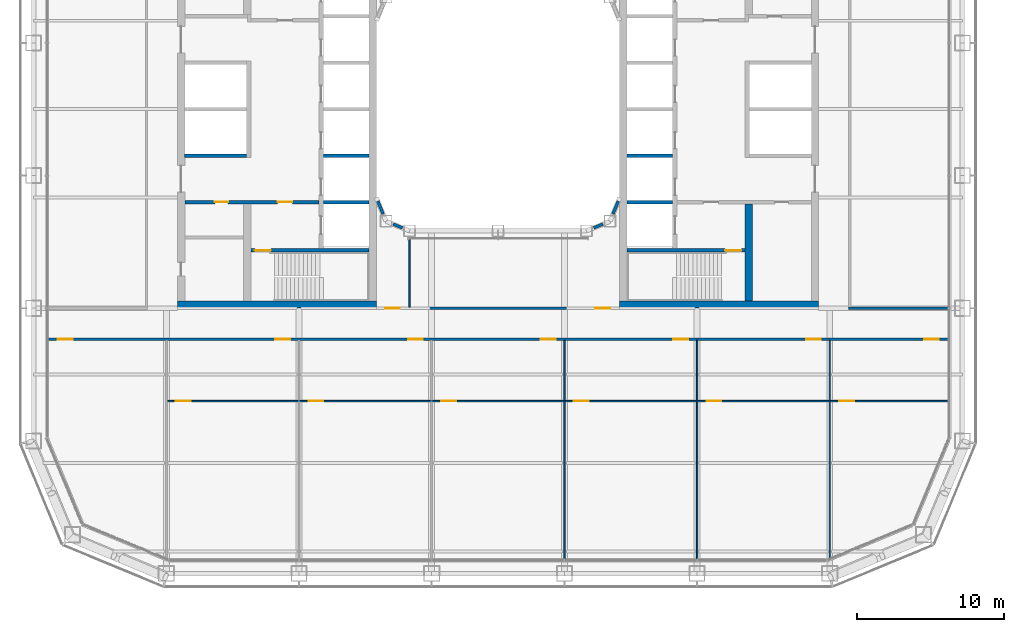
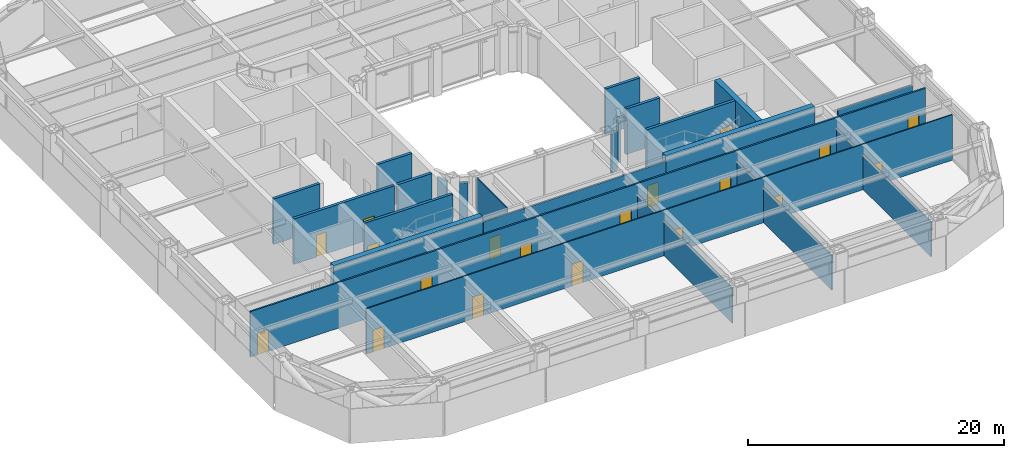
# One storey, part 13 of 30: 26 walls, 19 doors, 19 openings.
"""IFC4 building model written with IfcOpenShell, lengths in metres."""

from ifc_helpers import new_model, si_unit, direction, frame, frame_2d, origin, place, context, subcontext, project, spatial, rectangle, extrude, material, layer, layer_set, type_object, element, fill, save


model = new_model("IFC4")

# Units and contexts
model_context = context("Model", 3, precision=1e-05, world=origin(), true_north=direction((0.0, 1.0)))
body_context = subcontext(model_context, "Body", "Model", "MODEL_VIEW")
ifc_project = project(units=[si_unit("LENGTHUNIT", "METRE"), si_unit("AREAUNIT", "SQUARE_METRE"), si_unit("VOLUMEUNIT", "CUBIC_METRE"), si_unit("PLANEANGLEUNIT", "RADIAN"), si_unit("MASSUNIT", "GRAM", prefix="KILO")], contexts=[model_context])

# Site, building, storey
site_placement = place(None, origin())
site = spatial("IfcSite", under=ifc_project, at=site_placement, CompositionType="ELEMENT")
building_placement = place(site_placement, origin())
building = spatial("IfcBuilding", under=site, at=building_placement, Name="Siwar Civic Tower", CompositionType="ELEMENT")
storey_placement = place(building_placement, frame((0.0, 0.0, 26.699951171875)))
storey = spatial("IfcBuildingStorey", under=building, at=storey_placement, Name="L05", CompositionType="ELEMENT", Elevation=26.699951171875)

# Wall, openings, doors
ifc_material_1 = material(Name="Concrete C60/75", Category="concrete")
ifc_layer_1 = layer(ifc_material_1, 0.25)
ifc_layer_set_1 = layer_set([ifc_layer_1], Name="Concrete C60/75")
wall_type_1 = type_object("IfcWallType", Name="CORE-WALL-RC250", PredefinedType="SHEAR", material=ifc_layer_set_1)
wall_1_placement = place(storey_placement, frame((-12.14990234375, -6.300048828125, 0.0), z_axis=(0.0, 0.0, 1.0), x_axis=(-1.0, 0.0, 0.0)))
wall_1 = element("IfcWall", 1, at=wall_1_placement, inside=storey, type_object=wall_type_1, Name="Core wall W", PredefinedType="SHEAR", context=body_context, shape_type="SweptSolid", body=[
    extrude(rectangle(XDim=9.10009765625, YDim=0.25, at=frame_2d((4.550048828125, 0.0))), origin(), (0.0, 0.0, 1.0), 4.35009765625),
])
opening_1_placement = place(wall_1_placement, frame((1.800048828125, 0.0, 0.0)))
opening_1 = element("IfcOpeningElement", 2, at=opening_1_placement, cuts=wall_1, Name="Opening L05-CW02", PredefinedType="OPENING", context=body_context, shape_type="SweptSolid", body=[
    extrude(rectangle(XDim=1.0, YDim=2.10009765625, at=frame_2d((0.5, 1.050048828125))), frame((0.0, 0.135009765625, 0.0), z_axis=(0.0, -1.0, 0.0), x_axis=(1.0, 0.0, 0.0)), (0.0, 0.0, 1.0), 0.27001953125),
])
opening_2_placement = place(wall_1_placement, frame((6.14990234375, 0.0, 0.0)))
opening_2 = element("IfcOpeningElement", 3, at=opening_2_placement, cuts=wall_1, Name="Opening L05-CW14", PredefinedType="OPENING", context=body_context, shape_type="SweptSolid", body=[
    extrude(rectangle(XDim=0.89990234375, YDim=2.10009765625, at=frame_2d((0.449951171875, 1.050048828125))), frame((0.0, 0.135009765625, 0.0), z_axis=(0.0, -1.0, 0.0), x_axis=(1.0, 0.0, 0.0)), (0.0, 0.0, 1.0), 0.27001953125),
])
ifc_material_2 = material(Name="Steel door leaf", Category="steel")
door_type_1 = type_object("IfcDoorType", Name="CORE-DOOR-FD30S", OperationType="SINGLE_SWING_LEFT", PredefinedType="DOOR", material=ifc_material_2)
door_1_placement = place(opening_1_placement, origin())
door_1 = element("IfcDoor", 4, at=door_1_placement, inside=storey, type_object=door_type_1, Name="Service lobby door L05-CW02", OperationType="SINGLE_SWING_RIGHT", OverallHeight=2.10009765625, OverallWidth=1.0, PredefinedType="DOOR", context=body_context, shape_type="SweptSolid", body=[
    extrude(rectangle(XDim=1.0, YDim=2.10009765625, at=frame_2d((0.5, 1.050048828125))), frame((0.0, 0.02490234375, 0.0), z_axis=(0.0, -1.0, 0.0), x_axis=(1.0, 0.0, 0.0)), (0.0, 0.0, 1.0), 0.050048828125),
])
fill(opening_1, door_1)
ifc_material_3 = material(Name="Steel door leaf", Category="steel")
door_type_2 = type_object("IfcDoorType", Name="CORE-DOOR-ROOM", OperationType="SINGLE_SWING_LEFT", PredefinedType="DOOR", material=ifc_material_3)
door_2_placement = place(opening_2_placement, origin())
door_2 = element("IfcDoor", 5, at=door_2_placement, inside=storey, type_object=door_type_2, Name="Core room door L05-CW14", OperationType="SINGLE_SWING_RIGHT", OverallHeight=2.10009765625, OverallWidth=0.89990234375, PredefinedType="DOOR", context=body_context, shape_type="SweptSolid", body=[
    extrude(rectangle(XDim=0.89990234375, YDim=2.10009765625, at=frame_2d((0.449951171875, 1.050048828125))), frame((0.0, 0.02490234375, 0.0), z_axis=(0.0, -1.0, 0.0), x_axis=(1.0, 0.0, 0.0)), (0.0, 0.0, 1.0), 0.050048828125),
])
fill(opening_2, door_2)

# Walls
wall_2_placement = place(storey_placement, frame((-17.050048828125, -3.14990234375, 0.0), z_axis=(0.0, 0.0, 1.0), x_axis=(-1.0, 0.0, 0.0)))
element("IfcWall", 6, at=wall_2_placement, inside=storey, type_object=wall_type_1, Name="Core wall W", PredefinedType="SHEAR", context=body_context, shape_type="SweptSolid", body=[
    extrude(rectangle(XDim=4.199951171875, YDim=0.25, at=frame_2d((2.10009765625, 0.0))), origin(), (0.0, 0.0, 1.0), 4.35009765625),
])
for number, where, z_axis, x_axis, name in (
    (7, (-8.75, -3.14990234375, 0.0), (0.0, 0.0, 1.0), (-1.0, 0.0, 0.0), "Core wall W"),
    (8, (-8.75, -6.300048828125, 0.0), (0.0, 0.0, 1.0), (-1.0, 0.0, 0.0), "Core wall W"),
):
    element("IfcWall", number, at=place(storey_placement, frame(where, z_axis=z_axis, x_axis=x_axis)), inside=storey, type_object=wall_type_1, Name=name, PredefinedType="SHEAR", context=body_context, shape_type="SweptSolid", body=[
        extrude(rectangle(XDim=3.10009765625, YDim=0.25, at=frame_2d((1.550048828125, 0.0))), origin(), (0.0, 0.0, 1.0), 4.35009765625),
    ])

# Wall, opening, door
wall_3_placement = place(storey_placement, frame((-8.75, -9.574951171875, 0.0), z_axis=(0.0, 0.0, 1.0), x_axis=(-1.0, 0.0, 0.0)))
wall_3 = element("IfcWall", 9, at=wall_3_placement, inside=storey, type_object=wall_type_1, Name="Core wall W", PredefinedType="SHEAR", context=body_context, shape_type="SweptSolid", body=[
    extrude(rectangle(XDim=8.0, YDim=0.25, at=frame_2d((4.0, 0.0))), origin(), (0.0, 0.0, 1.0), 4.35009765625),
])
opening_3_placement = place(wall_3_placement, frame((6.64990234375, 0.0, 0.0)))
opening_3 = element("IfcOpeningElement", 10, at=opening_3_placement, cuts=wall_3, Name="Opening L05-CW04", PredefinedType="OPENING", context=body_context, shape_type="SweptSolid", body=[
    extrude(rectangle(XDim=1.10009765625, YDim=2.10009765625, at=frame_2d((0.550048828125, 1.050048828125))), frame((0.0, 0.135009765625, 0.0), z_axis=(0.0, -1.0, 0.0), x_axis=(1.0, 0.0, 0.0)), (0.0, 0.0, 1.0), 0.27001953125),
])
ifc_material_4 = material(Name="Steel door leaf", Category="steel")
door_type_3 = type_object("IfcDoorType", Name="CORE-DOOR-FD60S", OperationType="SINGLE_SWING_LEFT", PredefinedType="DOOR", material=ifc_material_4)
door_3_placement = place(opening_3_placement, origin())
door_3 = element("IfcDoor", 11, at=door_3_placement, inside=storey, type_object=door_type_3, Name="Stair door L05-CW04", OperationType="SINGLE_SWING_LEFT", OverallHeight=2.10009765625, OverallWidth=1.10009765625, PredefinedType="DOOR", context=body_context, shape_type="SweptSolid", body=[
    extrude(rectangle(XDim=1.10009765625, YDim=2.10009765625, at=frame_2d((0.550048828125, 1.050048828125))), frame((0.0, 0.02490234375, 0.0), z_axis=(0.0, -1.0, 0.0), x_axis=(1.0, 0.0, 0.0)), (0.0, 0.0, 1.0), 0.050048828125),
])
fill(opening_3, door_3)

# Walls
for number, where, z_axis, x_axis, name in (
    (12, (8.75, -3.14990234375, 0.0), (0.0, 0.0, 1.0), (1.0, 0.0, 0.0), "Core wall E"),
    (13, (8.75, -6.300048828125, 0.0), (0.0, 0.0, 1.0), (1.0, 0.0, 0.0), "Core wall E"),
):
    element("IfcWall", number, at=place(storey_placement, frame(where, z_axis=z_axis, x_axis=x_axis)), inside=storey, type_object=wall_type_1, Name=name, PredefinedType="SHEAR", context=body_context, shape_type="SweptSolid", body=[
        extrude(rectangle(XDim=3.10009765625, YDim=0.25, at=frame_2d((1.550048828125, 0.0))), origin(), (0.0, 0.0, 1.0), 4.35009765625),
    ])

# Wall, opening, door
wall_4_placement = place(storey_placement, frame((8.75, -9.574951171875, 0.0), z_axis=(0.0, 0.0, 1.0), x_axis=(1.0, 0.0, 0.0)))
wall_4 = element("IfcWall", 14, at=wall_4_placement, inside=storey, type_object=wall_type_1, Name="Core wall E", PredefinedType="SHEAR", context=body_context, shape_type="SweptSolid", body=[
    extrude(rectangle(XDim=8.0, YDim=0.25, at=frame_2d((4.0, 0.0))), origin(), (0.0, 0.0, 1.0), 4.35009765625),
])
opening_4_placement = place(wall_4_placement, frame((6.64990234375, 0.0, 0.0)))
opening_4 = element("IfcOpeningElement", 15, at=opening_4_placement, cuts=wall_4, Name="Opening L05-CE04", PredefinedType="OPENING", context=body_context, shape_type="SweptSolid", body=[
    extrude(rectangle(XDim=1.10009765625, YDim=2.10009765625, at=frame_2d((0.550048828125, 1.050048828125))), frame((0.0, 0.135009765625, 0.0), z_axis=(0.0, -1.0, 0.0), x_axis=(1.0, 0.0, 0.0)), (0.0, 0.0, 1.0), 0.27001953125),
])
door_4_placement = place(opening_4_placement, origin())
door_4 = element("IfcDoor", 16, at=door_4_placement, inside=storey, type_object=door_type_3, Name="Stair door L05-CE04", OperationType="SINGLE_SWING_RIGHT", OverallHeight=2.10009765625, OverallWidth=1.10009765625, PredefinedType="DOOR", context=body_context, shape_type="SweptSolid", body=[
    extrude(rectangle(XDim=1.10009765625, YDim=2.10009765625, at=frame_2d((0.550048828125, 1.050048828125))), frame((0.0, 0.02490234375, 0.0), z_axis=(0.0, -1.0, 0.0), x_axis=(1.0, 0.0, 0.0)), (0.0, 0.0, 1.0), 0.050048828125),
])
fill(opening_4, door_4)

# Walls
ifc_material_5 = material(Name="Concrete C60/75", Category="concrete")
ifc_layer_2 = layer(ifc_material_5, 0.5)
ifc_layer_set_2 = layer_set([ifc_layer_2], Name="Concrete C60/75")
wall_type_2 = type_object("IfcWallType", Name="CORE-WALL-RC500", PredefinedType="SHEAR", material=ifc_layer_set_2)
wall_5_placement = place(storey_placement, frame((-8.25, -13.25, 0.0), z_axis=(0.0, 0.0, 1.0), x_axis=(-1.0, 0.0, 0.0)))
element("IfcWall", 17, at=wall_5_placement, inside=storey, type_object=wall_type_2, Name="Core wall W", PredefinedType="SHEAR", context=body_context, shape_type="SweptSolid", body=[
    extrude(rectangle(XDim=13.5, YDim=0.5, at=frame_2d((6.75, 0.0))), origin(), (0.0, 0.0, 1.0), 4.35009765625),
])
wall_6_placement = place(storey_placement, frame((17.0, -13.0, 0.0), z_axis=(0.0, 0.0, 1.0), x_axis=(0.0, 1.0, 0.0)))
element("IfcWall", 18, at=wall_6_placement, inside=storey, type_object=wall_type_2, Name="Core wall E", PredefinedType="SHEAR", context=body_context, shape_type="SweptSolid", body=[
    extrude(rectangle(XDim=6.574951171875, YDim=0.5, at=frame_2d((3.28759765625, 0.0))), origin(), (0.0, 0.0, 1.0), 4.35009765625),
])
wall_7_placement = place(storey_placement, frame((8.25, -13.25, 0.0), z_axis=(0.0, 0.0, 1.0), x_axis=(1.0, 0.0, 0.0)))
element("IfcWall", 19, at=wall_7_placement, inside=storey, type_object=wall_type_2, Name="Core wall E", PredefinedType="SHEAR", context=body_context, shape_type="SweptSolid", body=[
    extrude(rectangle(XDim=13.5, YDim=0.5, at=frame_2d((6.75, 0.0))), origin(), (0.0, 0.0, 1.0), 4.35009765625),
])

# Wall, openings, doors
ifc_material_6 = material(Name="Gypsum board on steel studs", Category="steel")
ifc_layer_3 = layer(ifc_material_6, 0.14990234375)
ifc_layer_set_3 = layer_set([ifc_layer_3], Name="Gypsum board on steel studs")
wall_type_3 = type_object("IfcWallType", Name="CORRIDOR PARTITION 150 EI 30", PredefinedType="PARTITIONING", material=ifc_layer_set_3)
wall_8_placement = place(storey_placement, frame((-30.510009765625, -15.60009765625, 0.0), z_axis=(0.0, 0.0, 1.0), x_axis=(1.0, 0.0, 0.0)))
wall_8 = element("IfcWall", 20, at=wall_8_placement, inside=storey, type_object=wall_type_3, Name="L05/wall/P02", PredefinedType="PARTITIONING", context=body_context, shape_type="SweptSolid", body=[
    extrude(rectangle(XDim=61.02001953125, YDim=0.14990234375, at=frame_2d((30.510009765625, 0.0))), origin(), (0.0, 0.0, 1.0), 4.35009765625),
])
opening_5_placement = place(wall_8_placement, frame((15.409912109375, 0.0, 0.0)))
opening_5 = element("IfcOpeningElement", 21, at=opening_5_placement, cuts=wall_8, Name="Opening D1", PredefinedType="OPENING", context=body_context, shape_type="SweptSolid", body=[
    extrude(rectangle(XDim=1.0, YDim=2.10009765625, at=frame_2d((0.5, 1.050048828125))), frame((0.0, 0.0849609375, 0.0), z_axis=(0.0, -1.0, 0.0), x_axis=(1.0, 0.0, 0.0)), (0.0, 0.0, 1.0), 0.169921875),
])
opening_6_placement = place(wall_8_placement, frame((24.409912109375, 0.0, 0.0)))
opening_6 = element("IfcOpeningElement", 22, at=opening_6_placement, cuts=wall_8, Name="Opening D1", PredefinedType="OPENING", context=body_context, shape_type="SweptSolid", body=[
    extrude(rectangle(XDim=1.0, YDim=2.10009765625, at=frame_2d((0.5, 1.050048828125))), frame((0.0, 0.0849609375, 0.0), z_axis=(0.0, -1.0, 0.0), x_axis=(1.0, 0.0, 0.0)), (0.0, 0.0, 1.0), 0.169921875),
])
opening_7_placement = place(wall_8_placement, frame((33.409912109375, 0.0, 0.0)))
opening_7 = element("IfcOpeningElement", 23, at=opening_7_placement, cuts=wall_8, Name="Opening D1", PredefinedType="OPENING", context=body_context, shape_type="SweptSolid", body=[
    extrude(rectangle(XDim=1.0, YDim=2.10009765625, at=frame_2d((0.5, 1.050048828125))), frame((0.0, 0.0849609375, 0.0), z_axis=(0.0, -1.0, 0.0), x_axis=(1.0, 0.0, 0.0)), (0.0, 0.0, 1.0), 0.169921875),
])
opening_8_placement = place(wall_8_placement, frame((42.409912109375, 0.0, 0.0)))
opening_8 = element("IfcOpeningElement", 24, at=opening_8_placement, cuts=wall_8, Name="Opening D1", PredefinedType="OPENING", context=body_context, shape_type="SweptSolid", body=[
    extrude(rectangle(XDim=1.0, YDim=2.10009765625, at=frame_2d((0.5, 1.050048828125))), frame((0.0, 0.0849609375, 0.0), z_axis=(0.0, -1.0, 0.0), x_axis=(1.0, 0.0, 0.0)), (0.0, 0.0, 1.0), 0.169921875),
])
opening_9_placement = place(wall_8_placement, frame((51.409912109375, 0.0, 0.0)))
opening_9 = element("IfcOpeningElement", 25, at=opening_9_placement, cuts=wall_8, Name="Opening D1", PredefinedType="OPENING", context=body_context, shape_type="SweptSolid", body=[
    extrude(rectangle(XDim=1.0, YDim=2.10009765625, at=frame_2d((0.5, 1.050048828125))), frame((0.0, 0.0849609375, 0.0), z_axis=(0.0, -1.0, 0.0), x_axis=(1.0, 0.0, 0.0)), (0.0, 0.0, 1.0), 0.169921875),
])
opening_10_placement = place(wall_8_placement, frame((0.64990234375, 0.0, 0.0)))
opening_10 = element("IfcOpeningElement", 26, at=opening_10_placement, cuts=wall_8, Name="Opening D1", PredefinedType="OPENING", context=body_context, shape_type="SweptSolid", body=[
    extrude(rectangle(XDim=1.0, YDim=2.10009765625, at=frame_2d((0.5, 1.050048828125))), frame((0.0, 0.0849609375, 0.0), z_axis=(0.0, -1.0, 0.0), x_axis=(1.0, 0.0, 0.0)), (0.0, 0.0, 1.0), 0.169921875),
])
opening_11_placement = place(wall_8_placement, frame((59.409912109375, 0.0, 0.0)))
opening_11 = element("IfcOpeningElement", 27, at=opening_11_placement, cuts=wall_8, Name="Opening D1", PredefinedType="OPENING", context=body_context, shape_type="SweptSolid", body=[
    extrude(rectangle(XDim=1.0, YDim=2.10009765625, at=frame_2d((0.5, 1.050048828125))), frame((0.0, 0.0849609375, 0.0), z_axis=(0.0, -1.0, 0.0), x_axis=(1.0, 0.0, 0.0)), (0.0, 0.0, 1.0), 0.169921875),
])
ifc_material_7 = material(Name="Timber, painted", Category="wood")
door_type_4 = type_object("IfcDoorType", Name="DOOR 1000 X 2100 FD30", OperationType="SINGLE_SWING_LEFT", PredefinedType="DOOR", material=ifc_material_7)
door_5_placement = place(opening_5_placement, origin())
door_5 = element("IfcDoor", 28, at=door_5_placement, inside=storey, type_object=door_type_4, Name="L05-D12", OperationType="SINGLE_SWING_RIGHT", OverallHeight=2.10009765625, OverallWidth=1.0, PredefinedType="DOOR", context=body_context, shape_type="SweptSolid", body=[
    extrude(rectangle(XDim=1.0, YDim=2.10009765625, at=frame_2d((0.5, 1.050048828125))), frame((0.0, 0.02490234375, 0.0), z_axis=(0.0, -1.0, 0.0), x_axis=(1.0, 0.0, 0.0)), (0.0, 0.0, 1.0), 0.050048828125),
])
fill(opening_5, door_5)
door_6_placement = place(opening_6_placement, origin())
door_6 = element("IfcDoor", 29, at=door_6_placement, inside=storey, type_object=door_type_4, Name="L05-D14", OperationType="SINGLE_SWING_RIGHT", OverallHeight=2.10009765625, OverallWidth=1.0, PredefinedType="DOOR", context=body_context, shape_type="SweptSolid", body=[
    extrude(rectangle(XDim=1.0, YDim=2.10009765625, at=frame_2d((0.5, 1.050048828125))), frame((0.0, 0.02490234375, 0.0), z_axis=(0.0, -1.0, 0.0), x_axis=(1.0, 0.0, 0.0)), (0.0, 0.0, 1.0), 0.050048828125),
])
fill(opening_6, door_6)
door_7_placement = place(opening_7_placement, origin())
door_7 = element("IfcDoor", 30, at=door_7_placement, inside=storey, type_object=door_type_4, Name="L05-D16", OperationType="SINGLE_SWING_RIGHT", OverallHeight=2.10009765625, OverallWidth=1.0, PredefinedType="DOOR", context=body_context, shape_type="SweptSolid", body=[
    extrude(rectangle(XDim=1.0, YDim=2.10009765625, at=frame_2d((0.5, 1.050048828125))), frame((0.0, 0.02490234375, 0.0), z_axis=(0.0, -1.0, 0.0), x_axis=(1.0, 0.0, 0.0)), (0.0, 0.0, 1.0), 0.050048828125),
])
fill(opening_7, door_7)
door_8_placement = place(opening_8_placement, origin())
door_8 = element("IfcDoor", 31, at=door_8_placement, inside=storey, type_object=door_type_4, Name="L05-D18", OperationType="SINGLE_SWING_RIGHT", OverallHeight=2.10009765625, OverallWidth=1.0, PredefinedType="DOOR", context=body_context, shape_type="SweptSolid", body=[
    extrude(rectangle(XDim=1.0, YDim=2.10009765625, at=frame_2d((0.5, 1.050048828125))), frame((0.0, 0.02490234375, 0.0), z_axis=(0.0, -1.0, 0.0), x_axis=(1.0, 0.0, 0.0)), (0.0, 0.0, 1.0), 0.050048828125),
])
fill(opening_8, door_8)
door_9_placement = place(opening_9_placement, origin())
door_9 = element("IfcDoor", 32, at=door_9_placement, inside=storey, type_object=door_type_4, Name="L05-D20", OperationType="SINGLE_SWING_RIGHT", OverallHeight=2.10009765625, OverallWidth=1.0, PredefinedType="DOOR", context=body_context, shape_type="SweptSolid", body=[
    extrude(rectangle(XDim=1.0, YDim=2.10009765625, at=frame_2d((0.5, 1.050048828125))), frame((0.0, 0.02490234375, 0.0), z_axis=(0.0, -1.0, 0.0), x_axis=(1.0, 0.0, 0.0)), (0.0, 0.0, 1.0), 0.050048828125),
])
fill(opening_9, door_9)
door_10_placement = place(opening_10_placement, origin())
door_10 = element("IfcDoor", 33, at=door_10_placement, inside=storey, type_object=door_type_4, Name="L05-D25", OperationType="SINGLE_SWING_LEFT", OverallHeight=2.10009765625, OverallWidth=1.0, PredefinedType="DOOR", context=body_context, shape_type="SweptSolid", body=[
    extrude(rectangle(XDim=1.0, YDim=2.10009765625, at=frame_2d((0.5, 1.050048828125))), frame((0.0, 0.02490234375, 0.0), z_axis=(0.0, -1.0, 0.0), x_axis=(1.0, 0.0, 0.0)), (0.0, 0.0, 1.0), 0.050048828125),
])
fill(opening_10, door_10)
door_11_placement = place(opening_11_placement, origin())
door_11 = element("IfcDoor", 34, at=door_11_placement, inside=storey, type_object=door_type_4, Name="L05-D26", OperationType="SINGLE_SWING_RIGHT", OverallHeight=2.10009765625, OverallWidth=1.0, PredefinedType="DOOR", context=body_context, shape_type="SweptSolid", body=[
    extrude(rectangle(XDim=1.0, YDim=2.10009765625, at=frame_2d((0.5, 1.050048828125))), frame((0.0, 0.02490234375, 0.0), z_axis=(0.0, -1.0, 0.0), x_axis=(1.0, 0.0, 0.0)), (0.0, 0.0, 1.0), 0.050048828125),
])
fill(opening_11, door_11)

wall_9_placement = place(storey_placement, frame((-8.25, -13.5, 0.0), z_axis=(0.0, 0.0, 1.0), x_axis=(1.0, 0.0, 0.0)))
wall_9 = element("IfcWall", 35, at=wall_9_placement, inside=storey, type_object=wall_type_3, Name="L05/wall/P04", PredefinedType="PARTITIONING", context=body_context, shape_type="SweptSolid", body=[
    extrude(rectangle(XDim=16.5, YDim=0.14990234375, at=frame_2d((8.25, 0.0))), origin(), (0.0, 0.0, 1.0), 3.85009765625),
])
opening_12_placement = place(wall_9_placement, frame((0.60009765625, 0.0, 0.0)))
opening_12 = element("IfcOpeningElement", 36, at=opening_12_placement, cuts=wall_9, Name="Opening D3", PredefinedType="OPENING", context=body_context, shape_type="SweptSolid", body=[
    extrude(rectangle(XDim=1.0, YDim=2.10009765625, at=frame_2d((0.5, 1.050048828125))), frame((0.0, 0.0849609375, 0.0), z_axis=(0.0, -1.0, 0.0), x_axis=(1.0, 0.0, 0.0)), (0.0, 0.0, 1.0), 0.169921875),
])
opening_13_placement = place(wall_9_placement, frame((14.85009765625, 0.0, 0.0)))
opening_13 = element("IfcOpeningElement", 37, at=opening_13_placement, cuts=wall_9, Name="Opening D1", PredefinedType="OPENING", context=body_context, shape_type="SweptSolid", body=[
    extrude(rectangle(XDim=1.0, YDim=2.10009765625, at=frame_2d((0.5, 1.050048828125))), frame((0.0, 0.0849609375, 0.0), z_axis=(0.0, -1.0, 0.0), x_axis=(1.0, 0.0, 0.0)), (0.0, 0.0, 1.0), 0.169921875),
])
door_12_placement = place(opening_13_placement, origin())
door_12 = element("IfcDoor", 38, at=door_12_placement, inside=storey, type_object=door_type_4, Name="L05-D37", OperationType="SINGLE_SWING_LEFT", OverallHeight=2.10009765625, OverallWidth=1.0, PredefinedType="DOOR", context=body_context, shape_type="SweptSolid", body=[
    extrude(rectangle(XDim=1.0, YDim=2.10009765625, at=frame_2d((0.5, 1.050048828125))), frame((0.0, 0.02490234375, 0.0), z_axis=(0.0, -1.0, 0.0), x_axis=(1.0, 0.0, 0.0)), (0.0, 0.0, 1.0), 0.050048828125),
])
fill(opening_13, door_12)
ifc_material_8 = material(Name="Timber, painted", Category="wood")
door_type_5 = type_object("IfcDoorType", Name="DOOR 1000 X 2100 WC", OperationType="SINGLE_SWING_LEFT", PredefinedType="DOOR", material=ifc_material_8)
door_13_placement = place(opening_12_placement, origin())
door_13 = element("IfcDoor", 39, at=door_13_placement, inside=storey, type_object=door_type_5, Name="L05-D36", OperationType="SINGLE_SWING_RIGHT", OverallHeight=2.10009765625, OverallWidth=1.0, PredefinedType="DOOR", context=body_context, shape_type="SweptSolid", body=[
    extrude(rectangle(XDim=1.0, YDim=2.10009765625, at=frame_2d((0.5, 1.050048828125))), frame((0.0, 0.02490234375, 0.0), z_axis=(0.0, -1.0, 0.0), x_axis=(1.0, 0.0, 0.0)), (0.0, 0.0, 1.0), 0.050048828125),
])
fill(opening_12, door_13)

# Walls
wall_10_placement = place(storey_placement, frame((23.77490234375, -13.5, 0.0), z_axis=(0.0, 0.0, 1.0), x_axis=(1.0, 0.0, 0.0)))
element("IfcWall", 40, at=wall_10_placement, inside=storey, type_object=wall_type_3, Name="L05/wall/P05", PredefinedType="PARTITIONING", context=body_context, shape_type="SweptSolid", body=[
    extrude(rectangle(XDim=6.735107421875, YDim=0.14990234375, at=frame_2d((3.36767578125, 0.0))), origin(), (0.0, 0.0, 1.0), 3.35009765625),
])
ifc_material_9 = material(Name="Aluminium clad insulated panel", Category="aluminium")
ifc_layer_4 = layer(ifc_material_9, 0.199951171875)
ifc_layer_set_4 = layer_set([ifc_layer_4], Name="Aluminium clad insulated panel")
wall_type_4 = type_object("IfcWallType", Name="ENV-WALL-WELL", PredefinedType="STANDARD", material=ifc_layer_set_4)
wall_11_placement = place(storey_placement, frame((6.48291015625, -8.050048828125, 0.0), z_axis=(0.0, 0.0, 1.0), x_axis=(0.923854141361, 0.382744726273, 0.0)))
element("IfcWall", 41, at=wall_11_placement, inside=storey, type_object=wall_type_4, Name="Light well corner wall SE1", PredefinedType="STANDARD", context=body_context, shape_type="SweptSolid", body=[
    extrude(rectangle(XDim=0.6767578125, YDim=0.199951171875, at=frame_2d((0.33837890625, 0.0))), origin(), (0.0, 0.0, 1.0), 3.72998046875),
])
for number, where, z_axis, x_axis, name in (
    (42, (7.791015625, -7.108154296875, 0.0), (0.0, 0.0, 1.0), (0.382624318388, 0.923904016107, 0.0), "Light well corner wall SE2"),
    (43, (-8.154296875, -6.23095703125, 0.0), (0.0, 0.0, 1.0), (0.382624318388, -0.923904016107, 0.0), "Light well corner wall SW1"),
):
    element("IfcWall", number, at=place(storey_placement, frame(where, z_axis=z_axis, x_axis=x_axis)), inside=storey, type_object=wall_type_4, Name=name, PredefinedType="STANDARD", context=body_context, shape_type="SweptSolid", body=[
        extrude(rectangle(XDim=0.949462890625, YDim=0.199951171875, at=frame_2d((0.474609375, 0.0))), origin(), (0.0, 0.0, 1.0), 3.72998046875),
    ])
wall_12_placement = place(storey_placement, frame((-7.108154296875, -7.791015625, 0.0), z_axis=(0.0, 0.0, 1.0), x_axis=(0.923854141361, -0.382744726273, 0.0)))
element("IfcWall", 44, at=wall_12_placement, inside=storey, type_object=wall_type_4, Name="Light well corner wall SW2", PredefinedType="STANDARD", context=body_context, shape_type="SweptSolid", body=[
    extrude(rectangle(XDim=0.6767578125, YDim=0.199951171875, at=frame_2d((0.33837890625, 0.0))), origin(), (0.0, 0.0, 1.0), 3.72998046875),
])

# Wall, openings, doors
ifc_material_10 = material(Name="Gypsum board on steel studs", Category="steel")
ifc_layer_5 = layer(ifc_material_10, 0.10009765625)
ifc_layer_set_5 = layer_set([ifc_layer_5], Name="Gypsum board on steel studs")
wall_type_5 = type_object("IfcWallType", Name="PARTITION 100 GYPSUM", PredefinedType="PARTITIONING", material=ifc_layer_set_5)
wall_13_placement = place(storey_placement, frame((-22.449951171875, -19.800048828125, 0.0), z_axis=(0.0, 0.0, 1.0), x_axis=(1.0, 0.0, 0.0)))
wall_13 = element("IfcWall", 45, at=wall_13_placement, inside=storey, type_object=wall_type_5, Name="L05/wall/P01", PredefinedType="PARTITIONING", context=body_context, shape_type="SweptSolid", body=[
    extrude(rectangle(XDim=52.9599609375, YDim=0.10009765625, at=frame_2d((26.47998046875, 0.0))), origin(), (0.0, 0.0, 1.0), 4.35009765625),
])
opening_14_placement = place(wall_13_placement, frame((0.60009765625, 0.0, 0.0)))
opening_14 = element("IfcOpeningElement", 46, at=opening_14_placement, cuts=wall_13, Name="Opening D2", PredefinedType="OPENING", context=body_context, shape_type="SweptSolid", body=[
    extrude(rectangle(XDim=1.0, YDim=2.10009765625, at=frame_2d((0.5, 1.050048828125))), frame((0.0, 0.06005859375, 0.0), z_axis=(0.0, -1.0, 0.0), x_axis=(1.0, 0.0, 0.0)), (0.0, 0.0, 1.0), 0.1201171875),
])
opening_15_placement = place(wall_13_placement, frame((9.60009765625, 0.0, 0.0)))
opening_15 = element("IfcOpeningElement", 47, at=opening_15_placement, cuts=wall_13, Name="Opening D2", PredefinedType="OPENING", context=body_context, shape_type="SweptSolid", body=[
    extrude(rectangle(XDim=1.0, YDim=2.10009765625, at=frame_2d((0.5, 1.050048828125))), frame((0.0, 0.06005859375, 0.0), z_axis=(0.0, -1.0, 0.0), x_axis=(1.0, 0.0, 0.0)), (0.0, 0.0, 1.0), 0.1201171875),
])
opening_16_placement = place(wall_13_placement, frame((18.60009765625, 0.0, 0.0)))
opening_16 = element("IfcOpeningElement", 48, at=opening_16_placement, cuts=wall_13, Name="Opening D2", PredefinedType="OPENING", context=body_context, shape_type="SweptSolid", body=[
    extrude(rectangle(XDim=1.0, YDim=2.10009765625, at=frame_2d((0.5, 1.050048828125))), frame((0.0, 0.06005859375, 0.0), z_axis=(0.0, -1.0, 0.0), x_axis=(1.0, 0.0, 0.0)), (0.0, 0.0, 1.0), 0.1201171875),
])
opening_17_placement = place(wall_13_placement, frame((27.60009765625, 0.0, 0.0)))
opening_17 = element("IfcOpeningElement", 49, at=opening_17_placement, cuts=wall_13, Name="Opening D2", PredefinedType="OPENING", context=body_context, shape_type="SweptSolid", body=[
    extrude(rectangle(XDim=1.0, YDim=2.10009765625, at=frame_2d((0.5, 1.050048828125))), frame((0.0, 0.06005859375, 0.0), z_axis=(0.0, -1.0, 0.0), x_axis=(1.0, 0.0, 0.0)), (0.0, 0.0, 1.0), 0.1201171875),
])
opening_18_placement = place(wall_13_placement, frame((36.60009765625, 0.0, 0.0)))
opening_18 = element("IfcOpeningElement", 50, at=opening_18_placement, cuts=wall_13, Name="Opening D2", PredefinedType="OPENING", context=body_context, shape_type="SweptSolid", body=[
    extrude(rectangle(XDim=1.0, YDim=2.10009765625, at=frame_2d((0.5, 1.050048828125))), frame((0.0, 0.06005859375, 0.0), z_axis=(0.0, -1.0, 0.0), x_axis=(1.0, 0.0, 0.0)), (0.0, 0.0, 1.0), 0.1201171875),
])
opening_19_placement = place(wall_13_placement, frame((45.60009765625, 0.0, 0.0)))
opening_19 = element("IfcOpeningElement", 51, at=opening_19_placement, cuts=wall_13, Name="Opening D2", PredefinedType="OPENING", context=body_context, shape_type="SweptSolid", body=[
    extrude(rectangle(XDim=1.0, YDim=2.10009765625, at=frame_2d((0.5, 1.050048828125))), frame((0.0, 0.06005859375, 0.0), z_axis=(0.0, -1.0, 0.0), x_axis=(1.0, 0.0, 0.0)), (0.0, 0.0, 1.0), 0.1201171875),
])
ifc_material_11 = material(Name="Timber, painted", Category="wood")
door_type_6 = type_object("IfcDoorType", Name="DOOR 1000 X 2100", OperationType="SINGLE_SWING_LEFT", PredefinedType="DOOR", material=ifc_material_11)
door_14_placement = place(opening_14_placement, origin())
door_14 = element("IfcDoor", 52, at=door_14_placement, inside=storey, type_object=door_type_6, Name="L05-D13", OperationType="SINGLE_SWING_LEFT", OverallHeight=2.10009765625, OverallWidth=1.0, PredefinedType="DOOR", context=body_context, shape_type="SweptSolid", body=[
    extrude(rectangle(XDim=1.0, YDim=2.10009765625, at=frame_2d((0.5, 1.050048828125))), frame((0.0, 0.02490234375, 0.0), z_axis=(0.0, -1.0, 0.0), x_axis=(1.0, 0.0, 0.0)), (0.0, 0.0, 1.0), 0.050048828125),
])
fill(opening_14, door_14)
door_15_placement = place(opening_15_placement, origin())
door_15 = element("IfcDoor", 53, at=door_15_placement, inside=storey, type_object=door_type_6, Name="L05-D15", OperationType="SINGLE_SWING_LEFT", OverallHeight=2.10009765625, OverallWidth=1.0, PredefinedType="DOOR", context=body_context, shape_type="SweptSolid", body=[
    extrude(rectangle(XDim=1.0, YDim=2.10009765625, at=frame_2d((0.5, 1.050048828125))), frame((0.0, 0.02490234375, 0.0), z_axis=(0.0, -1.0, 0.0), x_axis=(1.0, 0.0, 0.0)), (0.0, 0.0, 1.0), 0.050048828125),
])
fill(opening_15, door_15)
door_16_placement = place(opening_16_placement, origin())
door_16 = element("IfcDoor", 54, at=door_16_placement, inside=storey, type_object=door_type_6, Name="L05-D17", OperationType="SINGLE_SWING_LEFT", OverallHeight=2.10009765625, OverallWidth=1.0, PredefinedType="DOOR", context=body_context, shape_type="SweptSolid", body=[
    extrude(rectangle(XDim=1.0, YDim=2.10009765625, at=frame_2d((0.5, 1.050048828125))), frame((0.0, 0.02490234375, 0.0), z_axis=(0.0, -1.0, 0.0), x_axis=(1.0, 0.0, 0.0)), (0.0, 0.0, 1.0), 0.050048828125),
])
fill(opening_16, door_16)
door_17_placement = place(opening_17_placement, origin())
door_17 = element("IfcDoor", 55, at=door_17_placement, inside=storey, type_object=door_type_6, Name="L05-D19", OperationType="SINGLE_SWING_LEFT", OverallHeight=2.10009765625, OverallWidth=1.0, PredefinedType="DOOR", context=body_context, shape_type="SweptSolid", body=[
    extrude(rectangle(XDim=1.0, YDim=2.10009765625, at=frame_2d((0.5, 1.050048828125))), frame((0.0, 0.02490234375, 0.0), z_axis=(0.0, -1.0, 0.0), x_axis=(1.0, 0.0, 0.0)), (0.0, 0.0, 1.0), 0.050048828125),
])
fill(opening_17, door_17)
door_18_placement = place(opening_18_placement, origin())
door_18 = element("IfcDoor", 56, at=door_18_placement, inside=storey, type_object=door_type_6, Name="L05-D21", OperationType="SINGLE_SWING_LEFT", OverallHeight=2.10009765625, OverallWidth=1.0, PredefinedType="DOOR", context=body_context, shape_type="SweptSolid", body=[
    extrude(rectangle(XDim=1.0, YDim=2.10009765625, at=frame_2d((0.5, 1.050048828125))), frame((0.0, 0.02490234375, 0.0), z_axis=(0.0, -1.0, 0.0), x_axis=(1.0, 0.0, 0.0)), (0.0, 0.0, 1.0), 0.050048828125),
])
fill(opening_18, door_18)
door_19_placement = place(opening_19_placement, origin())
door_19 = element("IfcDoor", 57, at=door_19_placement, inside=storey, type_object=door_type_6, Name="L05-D27", OperationType="SINGLE_SWING_LEFT", OverallHeight=2.10009765625, OverallWidth=1.0, PredefinedType="DOOR", context=body_context, shape_type="SweptSolid", body=[
    extrude(rectangle(XDim=1.0, YDim=2.10009765625, at=frame_2d((0.5, 1.050048828125))), frame((0.0, 0.02490234375, 0.0), z_axis=(0.0, -1.0, 0.0), x_axis=(1.0, 0.0, 0.0)), (0.0, 0.0, 1.0), 0.050048828125),
])
fill(opening_19, door_19)

# Walls
wall_14_placement = place(storey_placement, frame((-6.0, -13.425048828125, 0.0), z_axis=(0.0, 0.0, 1.0), x_axis=(0.0, 1.0, 0.0)))
element("IfcWall", 58, at=wall_14_placement, inside=storey, type_object=wall_type_5, Name="L05/wall/P22", PredefinedType="PARTITIONING", context=body_context, shape_type="SweptSolid", body=[
    extrude(rectangle(XDim=4.72509765625, YDim=0.10009765625, at=frame_2d((2.362548828125, 0.0))), origin(), (0.0, 0.0, 1.0), 4.35009765625),
])
wall_15_placement = place(storey_placement, frame((4.5, -30.510009765625, 0.0), z_axis=(0.0, 0.0, 1.0), x_axis=(0.0, 1.0, 0.0)))
element("IfcWall", 59, at=wall_15_placement, inside=storey, type_object=wall_type_5, Name="L05/wall/P30", PredefinedType="PARTITIONING", context=body_context, shape_type="SweptSolid", body=[
    extrude(rectangle(XDim=10.659912109375, YDim=0.10009765625, at=frame_2d((5.330078125, 0.0))), origin(), (0.0, 0.0, 1.0), 3.35009765625),
])
wall_16_placement = place(storey_placement, frame((4.5, -19.75, 0.0), z_axis=(0.0, 0.0, 1.0), x_axis=(0.0, 1.0, 0.0)))
element("IfcWall", 60, at=wall_16_placement, inside=storey, type_object=wall_type_5, Name="L05/wall/P31", PredefinedType="PARTITIONING", context=body_context, shape_type="SweptSolid", body=[
    extrude(rectangle(XDim=4.074951171875, YDim=0.10009765625, at=frame_2d((2.03759765625, 0.0))), origin(), (0.0, 0.0, 1.0), 3.35009765625),
])
wall_17_placement = place(storey_placement, frame((13.5, -30.510009765625, 0.0), z_axis=(0.0, 0.0, 1.0), x_axis=(0.0, 1.0, 0.0)))
element("IfcWall", 61, at=wall_17_placement, inside=storey, type_object=wall_type_5, Name="L05/wall/P35", PredefinedType="PARTITIONING", context=body_context, shape_type="SweptSolid", body=[
    extrude(rectangle(XDim=10.659912109375, YDim=0.10009765625, at=frame_2d((5.330078125, 0.0))), origin(), (0.0, 0.0, 1.0), 3.35009765625),
])
wall_18_placement = place(storey_placement, frame((13.5, -19.75, 0.0), z_axis=(0.0, 0.0, 1.0), x_axis=(0.0, 1.0, 0.0)))
element("IfcWall", 62, at=wall_18_placement, inside=storey, type_object=wall_type_5, Name="L05/wall/P36", PredefinedType="PARTITIONING", context=body_context, shape_type="SweptSolid", body=[
    extrude(rectangle(XDim=4.074951171875, YDim=0.10009765625, at=frame_2d((2.03759765625, 0.0))), origin(), (0.0, 0.0, 1.0), 3.35009765625),
])
wall_19_placement = place(storey_placement, frame((22.5, -30.427978515625, 0.0), z_axis=(0.0, 0.0, 1.0), x_axis=(0.0, 1.0, 0.0)))
element("IfcWall", 63, at=wall_19_placement, inside=storey, type_object=wall_type_5, Name="L05/wall/P39", PredefinedType="PARTITIONING", context=body_context, shape_type="SweptSolid", body=[
    extrude(rectangle(XDim=10.577880859375, YDim=0.10009765625, at=frame_2d((5.2890625, 0.0))), origin(), (0.0, 0.0, 1.0), 3.35009765625),
])
wall_20_placement = place(storey_placement, frame((22.5, -19.75, 0.0), z_axis=(0.0, 0.0, 1.0), x_axis=(0.0, 1.0, 0.0)))
element("IfcWall", 64, at=wall_20_placement, inside=storey, type_object=wall_type_5, Name="L05/wall/P40", PredefinedType="PARTITIONING", context=body_context, shape_type="SweptSolid", body=[
    extrude(rectangle(XDim=4.074951171875, YDim=0.10009765625, at=frame_2d((2.03759765625, 0.0))), origin(), (0.0, 0.0, 1.0), 3.35009765625),
])

save(model, "model.ifc")
